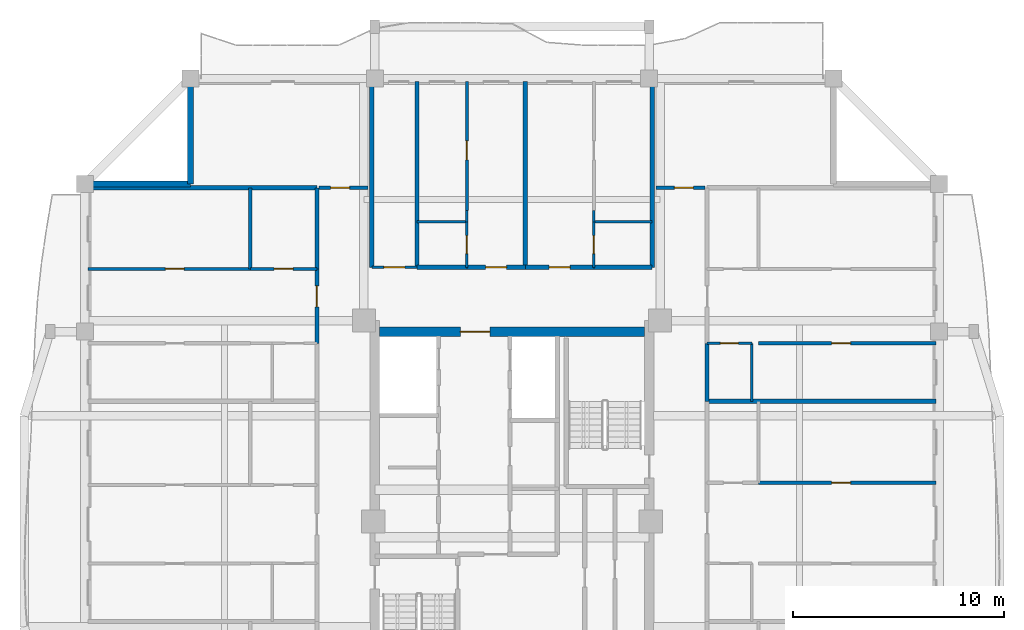
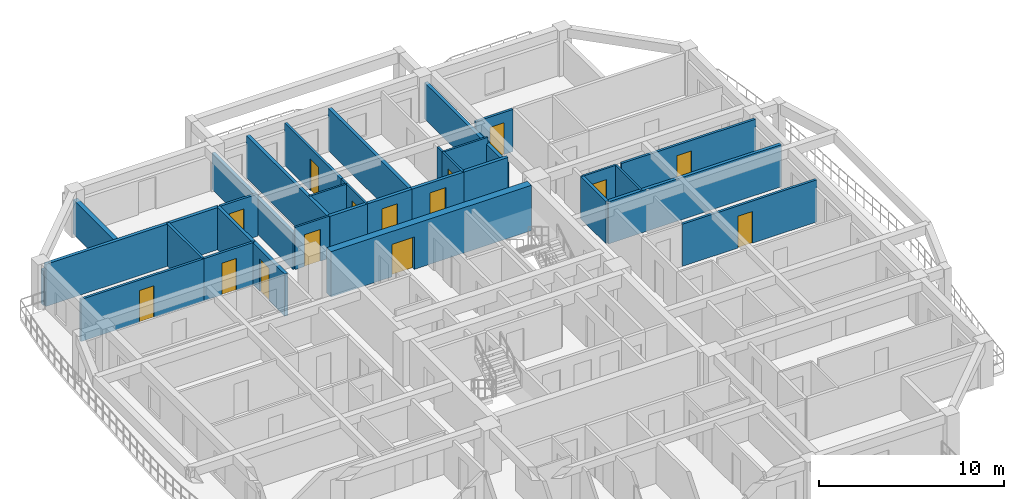
# One storey, part 6 of 13: 33 walls, 15 doors, 15 openings.
"""IFC4 building model written with IfcOpenShell, lengths in metres."""

from ifc_helpers import new_model, si_unit, direction, frame, frame_2d, origin, place, context, subcontext, project, spatial, rectangle, extrude, source, transform, mapped, material, layer, layer_set, type_object, element, fill, save


model = new_model("IFC4")

# Units and contexts
model_context = context("Model", 3, precision=1e-05, world=origin(), true_north=direction((0.0, 1.0)))
body_context = subcontext(model_context, "Body", "Model", "MODEL_VIEW")
ifc_project = project(units=[si_unit("LENGTHUNIT", "METRE"), si_unit("AREAUNIT", "SQUARE_METRE"), si_unit("VOLUMEUNIT", "CUBIC_METRE"), si_unit("PLANEANGLEUNIT", "RADIAN"), si_unit("MASSUNIT", "GRAM", prefix="KILO")], contexts=[model_context])

# Site, building, storey
site_placement = place(None, origin())
site = spatial("IfcSite", under=ifc_project, at=site_placement, CompositionType="ELEMENT")
building_placement = place(site_placement, origin())
building = spatial("IfcBuilding", under=site, at=building_placement, Name="Saelheon Loggia Tower", CompositionType="ELEMENT")
storey_placement = place(building_placement, frame((0.0, 0.0, 179.800048828125)))
storey = spatial("IfcBuildingStorey", under=building, at=storey_placement, Name="L56", CompositionType="ELEMENT", Elevation=179.800048828125)

# Wall, opening, door
ifc_material_1 = material(Name="Concrete C45/55", Category="concrete")
ifc_layer_1 = layer(ifc_material_1, 0.449951171875)
ifc_layer_set_1 = layer_set([ifc_layer_1], Name="Concrete C45/55")
wall_type_1 = type_object("IfcWallType", Name="Wall_CoreShear_450", PredefinedType="SHEAR", material=ifc_layer_set_1)
wall_1_placement = place(storey_placement, frame((31.72509765625, 36.0, 0.0), z_axis=(0.0, 0.0, 1.0), x_axis=(1.0, 0.0, 0.0)))
wall_1 = element("IfcWall", 1, at=wall_1_placement, inside=storey, type_object=wall_type_1, Name="L56 Core Shear Wall North", PredefinedType="SHEAR", context=body_context, shape_type="SweptSolid", body=[
    extrude(rectangle(XDim=12.5498046875, YDim=0.449951171875, at=frame_2d((6.27490234375, 0.0))), origin(), (0.0, 0.0, 1.0), 3.0),
])
opening_1_placement = place(wall_1_placement, frame((5.224853515625, 0.0, 0.0), z_axis=(0.0, 0.0, 1.0), x_axis=(-1.0, 0.0, 0.0)))
opening_1 = element("IfcOpeningElement", 2, at=opening_1_placement, cuts=wall_1, Name="Opening D-FD2L", PredefinedType="OPENING", context=body_context, shape_type="SweptSolid", body=[
    extrude(rectangle(XDim=1.39990234375, YDim=2.14990234375, at=frame_2d((0.699951171875, 1.074951171875))), frame((0.0, 0.237060546875, 0.0), z_axis=(0.0, -1.0, 0.0), x_axis=(1.0, 0.0, 0.0)), (0.0, 0.0, 1.0), 0.473876953125),
])
ifc_material_2 = material(Name="Galvanised Steel Glazed Lobby Fire Door", Category="steel")
door_type_1 = type_object("IfcDoorType", Name="Door_Fire_FD60_1400", OperationType="NOTDEFINED", PredefinedType="DOOR", material=ifc_material_2)
shared_shape_1 = source(origin(), body_context, "Body", "SweptSolid", [
    extrude(rectangle(XDim=1.39990234375, YDim=2.14990234375, at=frame_2d((0.699951171875, 1.074951171875))), frame((0.0, 0.02490234375, 0.0), z_axis=(0.0, -1.0, 0.0), x_axis=(1.0, 0.0, 0.0)), (0.0, 0.0, 1.0), 0.050048828125),
])
door_1_placement = place(opening_1_placement, origin())
door_1 = element("IfcDoor", 3, at=door_1_placement, inside=storey, type_object=door_type_1, Name="L56 Passenger Lift Lobby Main Door", OperationType="SINGLE_SWING_RIGHT", OverallHeight=2.14990234375, OverallWidth=1.39990234375, PredefinedType="DOOR", context=body_context, shape_type="MappedRepresentation", body=[
    mapped(shared_shape_1, transform((0.0, 0.0, 0.0), scale=1.0)),
])
fill(opening_1, door_1)

# Walls
ifc_material_3 = material(Name="Architectural Precast Concrete C40/50", Category="concrete")
ifc_layer_2 = layer(ifc_material_3, 0.280029296875)
ifc_layer_set_2 = layer_set([ifc_layer_2], Name="Architectural Precast Concrete C40/50")
wall_type_2 = type_object("IfcWallType", Name="Wall_Ext_Loggia_280", PredefinedType="SOLIDWALL", material=ifc_layer_set_2)
for number, where, z_axis, x_axis, name in (
    (4, (22.75, 43.0, 0.0), (0.0, 0.0, 1.0), (0.0, 1.0, 0.0), "L56 Corner Notch Precast Wall NW1"),
    (5, (17.830078125, 43.0, 0.0), (0.0, 0.0, 1.0), (1.0, 0.0, 0.0), "L56 Corner Notch Precast Wall NW2"),
):
    element("IfcWall", number, at=place(storey_placement, frame(where, z_axis=z_axis, x_axis=x_axis)), inside=storey, type_object=wall_type_2, Name=name, PredefinedType="SOLIDWALL", context=body_context, shape_type="SweptSolid", body=[
        extrude(rectangle(XDim=4.919921875, YDim=0.280029296875, at=frame_2d((2.4599609375, 0.0))), origin(), (0.0, 0.0, 1.0), 2.280029296875),
    ])

# Wall, opening, door
ifc_material_4 = material(Name="Lightweight Autoclaved Aerated Concrete Block and Acoustic Gypsum", Category="concrete")
ifc_layer_3 = layer(ifc_material_4, 0.14990234375)
ifc_layer_set_3 = layer_set([ifc_layer_3], Name="Lightweight Autoclaved Aerated Concrete Block and Acoustic Gypsum")
wall_type_3 = type_object("IfcWallType", Name="Wall_Part_150", PredefinedType="PARTITIONING", material=ifc_layer_set_3)
wall_2_placement = place(storey_placement, frame((28.85009765625, 42.820068359375, 0.0), z_axis=(0.0, 0.0, 1.0), x_axis=(1.0, 0.0, 0.0)))
wall_2 = element("IfcWall", 6, at=wall_2_placement, inside=storey, type_object=wall_type_3, Name="PW-L56-CNW-H", PredefinedType="PARTITIONING", context=body_context, shape_type="SweptSolid", body=[
    extrude(rectangle(XDim=2.329833984375, YDim=0.14990234375, at=frame_2d((1.1650390625, 0.0))), origin(), (0.0, 0.0, 1.0), 2.7900390625),
])
opening_2_placement = place(wall_2_placement, frame((0.550048828125, 0.0, 0.0)))
opening_2 = element("IfcOpeningElement", 7, at=opening_2_placement, cuts=wall_2, Name="Opening D-IN2", PredefinedType="OPENING", context=body_context, shape_type="SweptSolid", body=[
    extrude(rectangle(XDim=0.89990234375, YDim=2.10009765625, at=frame_2d((0.449951171875, 1.050048828125))), frame((0.0, 0.0869140625, 0.0), z_axis=(0.0, -1.0, 0.0), x_axis=(1.0, 0.0, 0.0)), (0.0, 0.0, 1.0), 0.173828125),
])
ifc_material_5 = material(Name="Engineered Oak Flush Door", Category="timber")
door_type_2 = type_object("IfcDoorType", Name="Door_Int_900", OperationType="NOTDEFINED", PredefinedType="DOOR", material=ifc_material_5)
shared_shape_2 = source(origin(), body_context, "Body", "SweptSolid", [
    extrude(rectangle(XDim=0.89990234375, YDim=2.10009765625, at=frame_2d((0.449951171875, 1.050048828125))), frame((0.0, 0.02490234375, 0.0), z_axis=(0.0, -1.0, 0.0), x_axis=(1.0, 0.0, 0.0)), (0.0, 0.0, 1.0), 0.050048828125),
])
door_2_placement = place(opening_2_placement, origin())
door_2 = element("IfcDoor", 8, at=door_2_placement, inside=storey, type_object=door_type_2, Name="L56 Corner Home Office NW Door", OperationType="SINGLE_SWING_LEFT", OverallHeight=2.10009765625, OverallWidth=0.89990234375, PredefinedType="DOOR", context=body_context, shape_type="MappedRepresentation", body=[
    mapped(shared_shape_2, transform((0.0, 0.0, 0.0), scale=1.0)),
])
fill(opening_2, door_2)

wall_3_placement = place(storey_placement, frame((44.820068359375, 42.820068359375, 0.0), z_axis=(0.0, 0.0, 1.0), x_axis=(1.0, 0.0, 0.0)))
wall_3 = element("IfcWall", 9, at=wall_3_placement, inside=storey, type_object=wall_type_3, Name="PW-L56-CNE-H", PredefinedType="PARTITIONING", context=body_context, shape_type="SweptSolid", body=[
    extrude(rectangle(XDim=2.329833984375, YDim=0.14990234375, at=frame_2d((1.1650390625, 0.0))), origin(), (0.0, 0.0, 1.0), 2.7900390625),
])
opening_3_placement = place(wall_3_placement, frame((0.8798828125, 0.0, 0.0)))
opening_3 = element("IfcOpeningElement", 10, at=opening_3_placement, cuts=wall_3, Name="Opening D-IN2", PredefinedType="OPENING", context=body_context, shape_type="SweptSolid", body=[
    extrude(rectangle(XDim=0.89990234375, YDim=2.10009765625, at=frame_2d((0.449951171875, 1.050048828125))), frame((0.0, 0.0869140625, 0.0), z_axis=(0.0, -1.0, 0.0), x_axis=(1.0, 0.0, 0.0)), (0.0, 0.0, 1.0), 0.173828125),
])
door_3_placement = place(opening_3_placement, origin())
door_3 = element("IfcDoor", 11, at=door_3_placement, inside=storey, type_object=door_type_2, Name="L56 Corner Reading Room NE Door", OperationType="SINGLE_SWING_LEFT", OverallHeight=2.10009765625, OverallWidth=0.89990234375, PredefinedType="DOOR", context=body_context, shape_type="MappedRepresentation", body=[
    mapped(shared_shape_2, transform((0.0, 0.0, 0.0), scale=1.0)),
])
fill(opening_3, door_3)

wall_4_placement = place(storey_placement, frame((35.859375, 41.72998046875, 0.0), z_axis=(0.0, 0.0, 1.0), x_axis=(0.0, 1.0, 0.0)))
wall_4 = element("IfcWall", 12, at=wall_4_placement, inside=storey, type_object=wall_type_3, Name="L56 N Partition U10", PredefinedType="PARTITIONING", context=body_context, shape_type="SweptSolid", body=[
    extrude(rectangle(XDim=6.1201171875, YDim=0.14990234375, at=frame_2d((3.06005859375, 0.0))), origin(), (0.0, 0.0, 1.0), 2.7900390625),
])
opening_4_placement = place(wall_4_placement, frame((2.41259765625, 0.0, 0.0)))
opening_4 = element("IfcOpeningElement", 13, at=opening_4_placement, cuts=wall_4, Name="Opening D-IN2", PredefinedType="OPENING", context=body_context, shape_type="SweptSolid", body=[
    extrude(rectangle(XDim=0.89990234375, YDim=2.10009765625, at=frame_2d((0.449951171875, 1.050048828125))), frame((0.0, 0.0869140625, 0.0), z_axis=(0.0, -1.0, 0.0), x_axis=(1.0, 0.0, 0.0)), (0.0, 0.0, 1.0), 0.173828125),
])
door_4_placement = place(opening_4_placement, origin())
door_4 = element("IfcDoor", 14, at=door_4_placement, inside=storey, type_object=door_type_2, Name="Unit U03 Kitchen Door", OperationType="SINGLE_SWING_LEFT", OverallHeight=2.10009765625, OverallWidth=0.89990234375, PredefinedType="DOOR", context=body_context, shape_type="MappedRepresentation", body=[
    mapped(shared_shape_2, transform((0.0, 0.0, 0.0), scale=1.0)),
])
fill(opening_4, door_4)

# Wall
wall_5_placement = place(storey_placement, frame((25.590087890625, 38.97265625, 0.0), z_axis=(0.0, 0.0, 1.0), x_axis=(0.0, 1.0, 0.0)))
element("IfcWall", 15, at=wall_5_placement, inside=storey, type_object=wall_type_3, Name="L56 W Partition V29", PredefinedType="PARTITIONING", context=body_context, shape_type="SweptSolid", body=[
    extrude(rectangle(XDim=3.847412109375, YDim=0.14990234375, at=frame_2d((1.923828125, 0.0))), origin(), (0.0, 0.0, 1.0), 2.7900390625),
])

# Wall, opening, door
wall_6_placement = place(storey_placement, frame((28.75, 38.97265625, 0.0), z_axis=(0.0, 0.0, 1.0), x_axis=(-1.0, 0.0, 0.0)))
wall_6 = element("IfcWall", 16, at=wall_6_placement, inside=storey, type_object=wall_type_3, Name="L56 W Partition U33", PredefinedType="PARTITIONING", context=body_context, shape_type="SweptSolid", body=[
    extrude(rectangle(XDim=3.159912109375, YDim=0.14990234375, at=frame_2d((1.580078125, 0.0))), origin(), (0.0, 0.0, 1.0), 2.7900390625),
])
opening_5_placement = place(wall_6_placement, frame((1.1298828125, 0.0, 0.0)))
opening_5 = element("IfcOpeningElement", 17, at=opening_5_placement, cuts=wall_6, Name="Opening D-IN2", PredefinedType="OPENING", context=body_context, shape_type="SweptSolid", body=[
    extrude(rectangle(XDim=0.89990234375, YDim=2.10009765625, at=frame_2d((0.449951171875, 1.050048828125))), frame((0.0, 0.0869140625, 0.0), z_axis=(0.0, -1.0, 0.0), x_axis=(1.0, 0.0, 0.0)), (0.0, 0.0, 1.0), 0.173828125),
])
door_5_placement = place(opening_5_placement, origin())
door_5 = element("IfcDoor", 18, at=door_5_placement, inside=storey, type_object=door_type_2, Name="Unit U07 Private Study Door", OperationType="SINGLE_SWING_RIGHT", OverallHeight=2.10009765625, OverallWidth=0.89990234375, PredefinedType="DOOR", context=body_context, shape_type="MappedRepresentation", body=[
    mapped(shared_shape_2, transform((0.0, 0.0, 0.0), scale=1.0)),
])
fill(opening_5, door_5)

wall_7_placement = place(storey_placement, frame((25.590087890625, 38.97265625, 0.0), z_axis=(0.0, 0.0, 1.0), x_axis=(-1.0, 0.0, 0.0)))
wall_7 = element("IfcWall", 19, at=wall_7_placement, inside=storey, type_object=wall_type_3, Name="L56 W Partition U34", PredefinedType="PARTITIONING", context=body_context, shape_type="SweptSolid", body=[
    extrude(rectangle(XDim=7.690185546875, YDim=0.14990234375, at=frame_2d((3.84521484375, 0.0))), origin(), (0.0, 0.0, 1.0), 2.7900390625),
])
opening_6_placement = place(wall_7_placement, frame((3.132080078125, 0.0, 0.0)))
opening_6 = element("IfcOpeningElement", 20, at=opening_6_placement, cuts=wall_7, Name="Opening D-IN2", PredefinedType="OPENING", context=body_context, shape_type="SweptSolid", body=[
    extrude(rectangle(XDim=0.89990234375, YDim=2.10009765625, at=frame_2d((0.449951171875, 1.050048828125))), frame((0.0, 0.0869140625, 0.0), z_axis=(0.0, -1.0, 0.0), x_axis=(1.0, 0.0, 0.0)), (0.0, 0.0, 1.0), 0.173828125),
])
door_6_placement = place(opening_6_placement, origin())
door_6 = element("IfcDoor", 21, at=door_6_placement, inside=storey, type_object=door_type_2, Name="Unit U07 Bedroom 1 Door", OperationType="SINGLE_SWING_LEFT", OverallHeight=2.10009765625, OverallWidth=0.89990234375, PredefinedType="DOOR", context=body_context, shape_type="MappedRepresentation", body=[
    mapped(shared_shape_2, transform((0.0, 0.0, 0.0), scale=1.0)),
])
fill(opening_6, door_6)

wall_8_placement = place(storey_placement, frame((49.68994140625, 28.830810546875, 0.0), z_axis=(0.0, 0.0, 1.0), x_axis=(1.0, 0.0, 0.0)))
wall_8 = element("IfcWall", 22, at=wall_8_placement, inside=storey, type_object=wall_type_3, Name="L56 E Partition U21", PredefinedType="PARTITIONING", context=body_context, shape_type="SweptSolid", body=[
    extrude(rectangle(XDim=8.41015625, YDim=0.14990234375, at=frame_2d((4.205078125, 0.0))), origin(), (0.0, 0.0, 1.0), 2.7900390625),
])
opening_7_placement = place(wall_8_placement, frame((3.462158203125, 0.0, 0.0)))
opening_7 = element("IfcOpeningElement", 23, at=opening_7_placement, cuts=wall_8, Name="Opening D-IN2", PredefinedType="OPENING", context=body_context, shape_type="SweptSolid", body=[
    extrude(rectangle(XDim=0.89990234375, YDim=2.10009765625, at=frame_2d((0.449951171875, 1.050048828125))), frame((0.0, 0.0869140625, 0.0), z_axis=(0.0, -1.0, 0.0), x_axis=(1.0, 0.0, 0.0)), (0.0, 0.0, 1.0), 0.173828125),
])
door_7_placement = place(opening_7_placement, origin())
door_7 = element("IfcDoor", 24, at=door_7_placement, inside=storey, type_object=door_type_2, Name="Unit U09 Bedroom 1 Door", OperationType="SINGLE_SWING_LEFT", OverallHeight=2.10009765625, OverallWidth=0.89990234375, PredefinedType="DOOR", context=body_context, shape_type="MappedRepresentation", body=[
    mapped(shared_shape_2, transform((0.0, 0.0, 0.0), scale=1.0)),
])
fill(opening_7, door_7)

wall_9_placement = place(storey_placement, frame((49.68994140625, 35.4453125, 0.0), z_axis=(0.0, 0.0, 1.0), x_axis=(1.0, 0.0, 0.0)))
wall_9 = element("IfcWall", 25, at=wall_9_placement, inside=storey, type_object=wall_type_3, Name="L56 E Partition U29", PredefinedType="PARTITIONING", context=body_context, shape_type="SweptSolid", body=[
    extrude(rectangle(XDim=8.41015625, YDim=0.14990234375, at=frame_2d((4.205078125, 0.0))), origin(), (0.0, 0.0, 1.0), 2.7900390625),
])
opening_8_placement = place(wall_9_placement, frame((3.462158203125, 0.0, 0.0)))
opening_8 = element("IfcOpeningElement", 26, at=opening_8_placement, cuts=wall_9, Name="Opening D-IN2", PredefinedType="OPENING", context=body_context, shape_type="SweptSolid", body=[
    extrude(rectangle(XDim=0.89990234375, YDim=2.10009765625, at=frame_2d((0.449951171875, 1.050048828125))), frame((0.0, 0.0869140625, 0.0), z_axis=(0.0, -1.0, 0.0), x_axis=(1.0, 0.0, 0.0)), (0.0, 0.0, 1.0), 0.173828125),
])
door_8_placement = place(opening_8_placement, origin())
door_8 = element("IfcDoor", 27, at=door_8_placement, inside=storey, type_object=door_type_2, Name="Unit U10 Kitchen Door", OperationType="SINGLE_SWING_RIGHT", OverallHeight=2.10009765625, OverallWidth=0.89990234375, PredefinedType="DOOR", context=body_context, shape_type="MappedRepresentation", body=[
    mapped(shared_shape_2, transform((0.0, 0.0, 0.0), scale=1.0)),
])
fill(opening_8, door_8)

# Walls
ifc_material_6 = material(Name="Double Acoustic Stud and Fireboard Partition", Category="gypsum")
ifc_layer_4 = layer(ifc_material_6, 0.199951171875)
ifc_layer_set_4 = layer_set([ifc_layer_4], Name="Double Acoustic Stud and Fireboard Partition")
wall_type_4 = type_object("IfcWallType", Name="Wall_Party_200", PredefinedType="PARTITIONING", material=ifc_layer_set_4)
for number, where, z_axis, x_axis, name in (
    (28, (31.35009765625, 39.050048828125, 0.0), (0.0, 0.0, 1.0), (0.0, 1.0, 0.0), "L56 N Partition U01"),
    (29, (44.64990234375, 39.050048828125, 0.0), (0.0, 0.0, 1.0), (0.0, 1.0, 0.0), "L56 N Partition U02"),
):
    element("IfcWall", number, at=place(storey_placement, frame(where, z_axis=z_axis, x_axis=x_axis)), inside=storey, type_object=wall_type_4, Name=name, PredefinedType="PARTITIONING", context=body_context, shape_type="SweptSolid", body=[
        extrude(rectangle(XDim=8.800048828125, YDim=0.199951171875, at=frame_2d((4.39990234375, 0.0))), origin(), (0.0, 0.0, 1.0), 2.389892578125),
    ])
wall_10_placement = place(storey_placement, frame((33.5, 39.050048828125, 0.0), z_axis=(0.0, 0.0, 1.0), x_axis=(0.0, 1.0, 0.0)))
element("IfcWall", 30, at=wall_10_placement, inside=storey, type_object=wall_type_4, Name="L56 N Partition U03", PredefinedType="PARTITIONING", context=body_context, shape_type="SweptSolid", body=[
    extrude(rectangle(XDim=8.800048828125, YDim=0.199951171875, at=frame_2d((4.39990234375, 0.0))), origin(), (0.0, 0.0, 1.0), 2.7900390625),
])
wall_11_placement = place(storey_placement, frame((33.5, 39.050048828125, 0.0), z_axis=(0.0, 0.0, 1.0), x_axis=(1.0, 0.0, 0.0)))
element("IfcWall", 31, at=wall_11_placement, inside=storey, type_object=wall_type_4, Name="L56 N Partition V05", PredefinedType="PARTITIONING", context=body_context, shape_type="SweptSolid", body=[
    extrude(rectangle(XDim=2.359375, YDim=0.199951171875, at=frame_2d((1.1796875, 0.0))), origin(), (0.0, 0.0, 1.0), 2.7900390625),
])

# Wall, opening, door
wall_12_placement = place(storey_placement, frame((35.859375, 39.050048828125, 0.0), z_axis=(0.0, 0.0, 1.0), x_axis=(1.0, 0.0, 0.0)))
wall_12 = element("IfcWall", 32, at=wall_12_placement, inside=storey, type_object=wall_type_4, Name="L56 N Partition V06", PredefinedType="PARTITIONING", context=body_context, shape_type="SweptSolid", body=[
    extrude(rectangle(XDim=2.76953125, YDim=0.199951171875, at=frame_2d((1.384765625, 0.0))), origin(), (0.0, 0.0, 1.0), 2.7900390625),
])
opening_9_placement = place(wall_12_placement, frame((0.885009765625, 0.0, 0.0)))
opening_9 = element("IfcOpeningElement", 33, at=opening_9_placement, cuts=wall_12, Name="Opening D-FD1", PredefinedType="OPENING", context=body_context, shape_type="SweptSolid", body=[
    extrude(rectangle(XDim=1.0, YDim=2.14990234375, at=frame_2d((0.5, 1.074951171875))), frame((0.0, 0.112060546875, 0.0), z_axis=(0.0, -1.0, 0.0), x_axis=(1.0, 0.0, 0.0)), (0.0, 0.0, 1.0), 0.223876953125),
])
ifc_material_7 = material(Name="Fire-Rated Engineered Timber Entrance Door", Category="wood")
door_type_3 = type_object("IfcDoorType", Name="Door_Flat_FD30S", OperationType="NOTDEFINED", PredefinedType="DOOR", material=ifc_material_7)
shared_shape_3 = source(origin(), body_context, "Body", "SweptSolid", [
    extrude(rectangle(XDim=1.0, YDim=2.14990234375, at=frame_2d((0.5, 1.074951171875))), frame((0.0, 0.02490234375, 0.0), z_axis=(0.0, -1.0, 0.0), x_axis=(1.0, 0.0, 0.0)), (0.0, 0.0, 1.0), 0.050048828125),
])
door_9_placement = place(opening_9_placement, origin())
door_9 = element("IfcDoor", 34, at=door_9_placement, inside=storey, type_object=door_type_3, Name="Unit U03 Entrance Door", OperationType="SINGLE_SWING_LEFT", OverallHeight=2.14990234375, OverallWidth=1.0, PredefinedType="DOOR", context=body_context, shape_type="MappedRepresentation", body=[
    mapped(shared_shape_3, transform((0.0, 0.0, 0.0), scale=1.0)),
])
fill(opening_9, door_9)

# Wall
wall_13_placement = place(storey_placement, frame((38.62890625, 39.050048828125, 0.0), z_axis=(0.0, 0.0, 1.0), x_axis=(0.0, 1.0, 0.0)))
element("IfcWall", 35, at=wall_13_placement, inside=storey, type_object=wall_type_4, Name="L56 N Partition U11", PredefinedType="PARTITIONING", context=body_context, shape_type="SweptSolid", body=[
    extrude(rectangle(XDim=8.800048828125, YDim=0.199951171875, at=frame_2d((4.39990234375, 0.0))), origin(), (0.0, 0.0, 1.0), 2.7900390625),
])

# Wall, opening, door
wall_14_placement = place(storey_placement, frame((38.62890625, 39.050048828125, 0.0), z_axis=(0.0, 0.0, 1.0), x_axis=(1.0, 0.0, 0.0)))
wall_14 = element("IfcWall", 36, at=wall_14_placement, inside=storey, type_object=wall_type_4, Name="L56 N Partition V12", PredefinedType="PARTITIONING", context=body_context, shape_type="SweptSolid", body=[
    extrude(rectangle(XDim=3.25146484375, YDim=0.199951171875, at=frame_2d((1.625732421875, 0.0))), origin(), (0.0, 0.0, 1.0), 2.7900390625),
])
opening_10_placement = place(wall_14_placement, frame((1.125732421875, 0.0, 0.0)))
opening_10 = element("IfcOpeningElement", 37, at=opening_10_placement, cuts=wall_14, Name="Opening D-FD1", PredefinedType="OPENING", context=body_context, shape_type="SweptSolid", body=[
    extrude(rectangle(XDim=1.0, YDim=2.14990234375, at=frame_2d((0.5, 1.074951171875))), frame((0.0, 0.112060546875, 0.0), z_axis=(0.0, -1.0, 0.0), x_axis=(1.0, 0.0, 0.0)), (0.0, 0.0, 1.0), 0.223876953125),
])
door_10_placement = place(opening_10_placement, origin())
door_10 = element("IfcDoor", 38, at=door_10_placement, inside=storey, type_object=door_type_3, Name="Unit U04 Entrance Door", OperationType="SINGLE_SWING_RIGHT", OverallHeight=2.14990234375, OverallWidth=1.0, PredefinedType="DOOR", context=body_context, shape_type="MappedRepresentation", body=[
    mapped(shared_shape_3, transform((0.0, 0.0, 0.0), scale=1.0)),
])
fill(opening_10, door_10)

# Walls
wall_15_placement = place(storey_placement, frame((41.88037109375, 39.050048828125, 0.0), z_axis=(0.0, 0.0, 1.0), x_axis=(1.0, 0.0, 0.0)))
element("IfcWall", 39, at=wall_15_placement, inside=storey, type_object=wall_type_4, Name="L56 N Partition V13", PredefinedType="PARTITIONING", context=body_context, shape_type="SweptSolid", body=[
    extrude(rectangle(XDim=2.76953125, YDim=0.199951171875, at=frame_2d((1.384765625, 0.0))), origin(), (0.0, 0.0, 1.0), 2.7900390625),
])
wall_16_placement = place(storey_placement, frame((28.75, 42.820068359375, 0.0), z_axis=(0.0, 0.0, 1.0), x_axis=(-1.0, 0.0, 0.0)))
element("IfcWall", 40, at=wall_16_placement, inside=storey, type_object=wall_type_4, Name="L56 W Partition U02", PredefinedType="PARTITIONING", context=body_context, shape_type="SweptSolid", body=[
    extrude(rectangle(XDim=10.85009765625, YDim=0.199951171875, at=frame_2d((5.425048828125, 0.0))), origin(), (0.0, 0.0, 1.0), 2.7900390625),
])

# Wall, opening, door
wall_17_placement = place(storey_placement, frame((28.75, 35.4453125, 0.0), z_axis=(0.0, 0.0, 1.0), x_axis=(0.0, 1.0, 0.0)))
wall_17 = element("IfcWall", 41, at=wall_17_placement, inside=storey, type_object=wall_type_4, Name="L56 W Partition V26", PredefinedType="PARTITIONING", context=body_context, shape_type="SweptSolid", body=[
    extrude(rectangle(XDim=3.52734375, YDim=0.199951171875, at=frame_2d((1.763671875, 0.0))), origin(), (0.0, 0.0, 1.0), 2.7900390625),
])
opening_11_placement = place(wall_17_placement, frame((1.7236328125, 0.0, 0.0)))
opening_11 = element("IfcOpeningElement", 42, at=opening_11_placement, cuts=wall_17, Name="Opening D-FD1", PredefinedType="OPENING", context=body_context, shape_type="SweptSolid", body=[
    extrude(rectangle(XDim=1.0, YDim=2.14990234375, at=frame_2d((0.5, 1.074951171875))), frame((0.0, 0.112060546875, 0.0), z_axis=(0.0, -1.0, 0.0), x_axis=(1.0, 0.0, 0.0)), (0.0, 0.0, 1.0), 0.223876953125),
])
door_11_placement = place(opening_11_placement, origin())
door_11 = element("IfcDoor", 43, at=door_11_placement, inside=storey, type_object=door_type_3, Name="Unit U07 Entrance Door", OperationType="SINGLE_SWING_LEFT", OverallHeight=2.14990234375, OverallWidth=1.0, PredefinedType="DOOR", context=body_context, shape_type="MappedRepresentation", body=[
    mapped(shared_shape_3, transform((0.0, 0.0, 0.0), scale=1.0)),
])
fill(opening_11, door_11)

# Walls
wall_18_placement = place(storey_placement, frame((28.75, 38.97265625, 0.0), z_axis=(0.0, 0.0, 1.0), x_axis=(0.0, 1.0, 0.0)))
element("IfcWall", 44, at=wall_18_placement, inside=storey, type_object=wall_type_4, Name="L56 W Partition V27", PredefinedType="PARTITIONING", context=body_context, shape_type="SweptSolid", body=[
    extrude(rectangle(XDim=3.847412109375, YDim=0.199951171875, at=frame_2d((1.923828125, 0.0))), origin(), (0.0, 0.0, 1.0), 2.7900390625),
])
wall_19_placement = place(storey_placement, frame((47.25, 32.6953125, 0.0), z_axis=(0.0, 0.0, 1.0), x_axis=(1.0, 0.0, 0.0)))
element("IfcWall", 45, at=wall_19_placement, inside=storey, type_object=wall_type_4, Name="L56 E Partition U22", PredefinedType="PARTITIONING", context=body_context, shape_type="SweptSolid", body=[
    extrude(rectangle(XDim=10.85009765625, YDim=0.199951171875, at=frame_2d((5.425048828125, 0.0))), origin(), (0.0, 0.0, 1.0), 2.7900390625),
])
wall_20_placement = place(storey_placement, frame((47.25, 32.6953125, 0.0), z_axis=(0.0, 0.0, 1.0), x_axis=(0.0, 1.0, 0.0)))
element("IfcWall", 46, at=wall_20_placement, inside=storey, type_object=wall_type_4, Name="L56 E Partition V23", PredefinedType="PARTITIONING", context=body_context, shape_type="SweptSolid", body=[
    extrude(rectangle(XDim=2.75, YDim=0.199951171875, at=frame_2d((1.375, 0.0))), origin(), (0.0, 0.0, 1.0), 2.7900390625),
])

# Wall, opening, door
ifc_material_8 = material(Name="Moisture-Resistant Cement Board Partition", Category="gypsum")
ifc_layer_5 = layer(ifc_material_8, 0.1201171875)
ifc_layer_set_5 = layer_set([ifc_layer_5], Name="Moisture-Resistant Cement Board Partition")
wall_type_5 = type_object("IfcWallType", Name="Wall_WetPart_120", PredefinedType="PARTITIONING", material=ifc_layer_set_5)
wall_21_placement = place(storey_placement, frame((31.35009765625, 39.050048828125, 0.0), z_axis=(0.0, 0.0, 1.0), x_axis=(1.0, 0.0, 0.0)))
wall_21 = element("IfcWall", 47, at=wall_21_placement, inside=storey, type_object=wall_type_5, Name="L56 N Partition V04", PredefinedType="PARTITIONING", context=body_context, shape_type="SweptSolid", body=[
    extrude(rectangle(XDim=2.14990234375, YDim=0.1201171875, at=frame_2d((1.074951171875, 0.0))), origin(), (0.0, 0.0, 1.0), 2.7900390625),
])
opening_12_placement = place(wall_21_placement, frame((0.574951171875, 0.0, 0.0)))
opening_12 = element("IfcOpeningElement", 48, at=opening_12_placement, cuts=wall_21, Name="Opening D-AC1", PredefinedType="OPENING", context=body_context, shape_type="SweptSolid", body=[
    extrude(rectangle(XDim=1.0, YDim=2.10009765625, at=frame_2d((0.5, 1.050048828125))), frame((0.0, 0.072021484375, 0.0), z_axis=(0.0, -1.0, 0.0), x_axis=(1.0, 0.0, 0.0)), (0.0, 0.0, 1.0), 0.14404296875),
])
ifc_material_9 = material(Name="Accessible Laminate Flush Door", Category="timber")
door_type_4 = type_object("IfcDoorType", Name="Door_Acc_1000", OperationType="NOTDEFINED", PredefinedType="DOOR", material=ifc_material_9)
shared_shape_4 = source(origin(), body_context, "Body", "SweptSolid", [
    extrude(rectangle(XDim=1.0, YDim=2.10009765625, at=frame_2d((0.5, 1.050048828125))), frame((0.0, 0.02490234375, 0.0), z_axis=(0.0, -1.0, 0.0), x_axis=(1.0, 0.0, 0.0)), (0.0, 0.0, 1.0), 0.050048828125),
])
door_12_placement = place(opening_12_placement, origin())
door_12 = element("IfcDoor", 49, at=door_12_placement, inside=storey, type_object=door_type_4, Name="L56 Floor Accessible WC Door", OperationType="SINGLE_SWING_RIGHT", OverallHeight=2.10009765625, OverallWidth=1.0, PredefinedType="DOOR", context=body_context, shape_type="MappedRepresentation", body=[
    mapped(shared_shape_4, transform((0.0, 0.0, 0.0), scale=1.0)),
])
fill(opening_12, door_12)

wall_22_placement = place(storey_placement, frame((35.859375, 39.050048828125, 0.0), z_axis=(0.0, 0.0, 1.0), x_axis=(0.0, 1.0, 0.0)))
wall_22 = element("IfcWall", 50, at=wall_22_placement, inside=storey, type_object=wall_type_5, Name="L56 N Partition U07", PredefinedType="PARTITIONING", context=body_context, shape_type="SweptSolid", body=[
    extrude(rectangle(XDim=2.14990234375, YDim=0.1201171875, at=frame_2d((1.074951171875, 0.0))), origin(), (0.0, 0.0, 1.0), 2.7900390625),
])
opening_13_placement = place(wall_22_placement, frame((0.64990234375, 0.0, 0.0)))
opening_13 = element("IfcOpeningElement", 51, at=opening_13_placement, cuts=wall_22, Name="Opening D-BT1", PredefinedType="OPENING", context=body_context, shape_type="SweptSolid", body=[
    extrude(rectangle(XDim=0.85009765625, YDim=2.050048828125, at=frame_2d((0.425048828125, 1.02490234375))), frame((0.0, 0.072021484375, 0.0), z_axis=(0.0, -1.0, 0.0), x_axis=(1.0, 0.0, 0.0)), (0.0, 0.0, 1.0), 0.14404296875),
])
ifc_material_10 = material(Name="Moisture-Resistant Laminate Timber Door", Category="wood")
door_type_5 = type_object("IfcDoorType", Name="Door_Bath_850", OperationType="NOTDEFINED", PredefinedType="DOOR", material=ifc_material_10)
shared_shape_5 = source(origin(), body_context, "Body", "SweptSolid", [
    extrude(rectangle(XDim=0.85009765625, YDim=2.050048828125, at=frame_2d((0.425048828125, 1.02490234375))), frame((0.0, 0.02490234375, 0.0), z_axis=(0.0, -1.0, 0.0), x_axis=(1.0, 0.0, 0.0)), (0.0, 0.0, 1.0), 0.050048828125),
])
door_13_placement = place(opening_13_placement, origin())
door_13 = element("IfcDoor", 52, at=door_13_placement, inside=storey, type_object=door_type_5, Name="Unit U03 Bathroom Door", OperationType="SINGLE_SWING_RIGHT", OverallHeight=2.050048828125, OverallWidth=0.85009765625, PredefinedType="DOOR", context=body_context, shape_type="MappedRepresentation", body=[
    mapped(shared_shape_5, transform((0.0, 0.0, 0.0), scale=1.0)),
])
fill(opening_13, door_13)

# Walls
wall_23_placement = place(storey_placement, frame((35.859375, 41.199951171875, 0.0), z_axis=(0.0, 0.0, 1.0), x_axis=(0.0, 1.0, 0.0)))
element("IfcWall", 53, at=wall_23_placement, inside=storey, type_object=wall_type_5, Name="L56 N Partition U08", PredefinedType="PARTITIONING", context=body_context, shape_type="SweptSolid", body=[
    extrude(rectangle(XDim=0.530029296875, YDim=0.1201171875, at=frame_2d((0.26513671875, 0.0))), origin(), (0.0, 0.0, 1.0), 2.7900390625),
])
wall_24_placement = place(storey_placement, frame((33.5, 41.199951171875, 0.0), z_axis=(0.0, 0.0, 1.0), x_axis=(1.0, 0.0, 0.0)))
element("IfcWall", 54, at=wall_24_placement, inside=storey, type_object=wall_type_5, Name="L56 N Partition V09", PredefinedType="PARTITIONING", context=body_context, shape_type="SweptSolid", body=[
    extrude(rectangle(XDim=2.359375, YDim=0.1201171875, at=frame_2d((1.1796875, 0.0))), origin(), (0.0, 0.0, 1.0), 2.7900390625),
])

# Wall, opening, door
wall_25_placement = place(storey_placement, frame((41.88037109375, 39.050048828125, 0.0), z_axis=(0.0, 0.0, 1.0), x_axis=(0.0, 1.0, 0.0)))
wall_25 = element("IfcWall", 55, at=wall_25_placement, inside=storey, type_object=wall_type_5, Name="L56 N Partition U14", PredefinedType="PARTITIONING", context=body_context, shape_type="SweptSolid", body=[
    extrude(rectangle(XDim=2.14990234375, YDim=0.1201171875, at=frame_2d((1.074951171875, 0.0))), origin(), (0.0, 0.0, 1.0), 2.7900390625),
])
opening_14_placement = place(wall_25_placement, frame((0.64990234375, 0.0, 0.0)))
opening_14 = element("IfcOpeningElement", 56, at=opening_14_placement, cuts=wall_25, Name="Opening D-BT1", PredefinedType="OPENING", context=body_context, shape_type="SweptSolid", body=[
    extrude(rectangle(XDim=0.85009765625, YDim=2.050048828125, at=frame_2d((0.425048828125, 1.02490234375))), frame((0.0, 0.072021484375, 0.0), z_axis=(0.0, -1.0, 0.0), x_axis=(1.0, 0.0, 0.0)), (0.0, 0.0, 1.0), 0.14404296875),
])
door_14_placement = place(opening_14_placement, origin())
door_14 = element("IfcDoor", 57, at=door_14_placement, inside=storey, type_object=door_type_5, Name="Unit U04 Bathroom Door", OperationType="SINGLE_SWING_LEFT", OverallHeight=2.050048828125, OverallWidth=0.85009765625, PredefinedType="DOOR", context=body_context, shape_type="MappedRepresentation", body=[
    mapped(shared_shape_5, transform((0.0, 0.0, 0.0), scale=1.0)),
])
fill(opening_14, door_14)

# Walls
wall_26_placement = place(storey_placement, frame((41.88037109375, 41.199951171875, 0.0), z_axis=(0.0, 0.0, 1.0), x_axis=(0.0, 1.0, 0.0)))
element("IfcWall", 58, at=wall_26_placement, inside=storey, type_object=wall_type_5, Name="L56 N Partition U15", PredefinedType="PARTITIONING", context=body_context, shape_type="SweptSolid", body=[
    extrude(rectangle(XDim=0.530029296875, YDim=0.1201171875, at=frame_2d((0.26513671875, 0.0))), origin(), (0.0, 0.0, 1.0), 2.7900390625),
])
wall_27_placement = place(storey_placement, frame((41.88037109375, 41.199951171875, 0.0), z_axis=(0.0, 0.0, 1.0), x_axis=(1.0, 0.0, 0.0)))
element("IfcWall", 59, at=wall_27_placement, inside=storey, type_object=wall_type_5, Name="L56 N Partition V16", PredefinedType="PARTITIONING", context=body_context, shape_type="SweptSolid", body=[
    extrude(rectangle(XDim=2.76953125, YDim=0.1201171875, at=frame_2d((1.384765625, 0.0))), origin(), (0.0, 0.0, 1.0), 2.7900390625),
])
wall_28_placement = place(storey_placement, frame((49.3701171875, 32.6953125, 0.0), z_axis=(0.0, 0.0, 1.0), x_axis=(0.0, 1.0, 0.0)))
element("IfcWall", 60, at=wall_28_placement, inside=storey, type_object=wall_type_5, Name="L56 E Partition V26", PredefinedType="PARTITIONING", context=body_context, shape_type="SweptSolid", body=[
    extrude(rectangle(XDim=2.75, YDim=0.1201171875, at=frame_2d((1.375, 0.0))), origin(), (0.0, 0.0, 1.0), 2.7900390625),
])

# Wall, opening, door
wall_29_placement = place(storey_placement, frame((47.25, 35.4453125, 0.0), z_axis=(0.0, 0.0, 1.0), x_axis=(1.0, 0.0, 0.0)))
wall_29 = element("IfcWall", 61, at=wall_29_placement, inside=storey, type_object=wall_type_5, Name="L56 E Partition U28", PredefinedType="PARTITIONING", context=body_context, shape_type="SweptSolid", body=[
    extrude(rectangle(XDim=2.1201171875, YDim=0.1201171875, at=frame_2d((1.06005859375, 0.0))), origin(), (0.0, 0.0, 1.0), 2.7900390625),
])
opening_15_placement = place(wall_29_placement, frame((0.635009765625, 0.0, 0.0)))
opening_15 = element("IfcOpeningElement", 62, at=opening_15_placement, cuts=wall_29, Name="Opening D-BT1", PredefinedType="OPENING", context=body_context, shape_type="SweptSolid", body=[
    extrude(rectangle(XDim=0.85009765625, YDim=2.050048828125, at=frame_2d((0.425048828125, 1.02490234375))), frame((0.0, 0.072021484375, 0.0), z_axis=(0.0, -1.0, 0.0), x_axis=(1.0, 0.0, 0.0)), (0.0, 0.0, 1.0), 0.14404296875),
])
door_15_placement = place(opening_15_placement, origin())
door_15 = element("IfcDoor", 63, at=door_15_placement, inside=storey, type_object=door_type_5, Name="Unit U10 Bathroom Door", OperationType="SINGLE_SWING_LEFT", OverallHeight=2.050048828125, OverallWidth=0.85009765625, PredefinedType="DOOR", context=body_context, shape_type="MappedRepresentation", body=[
    mapped(shared_shape_5, transform((0.0, 0.0, 0.0), scale=1.0)),
])
fill(opening_15, door_15)

save(model, "model.ifc")
